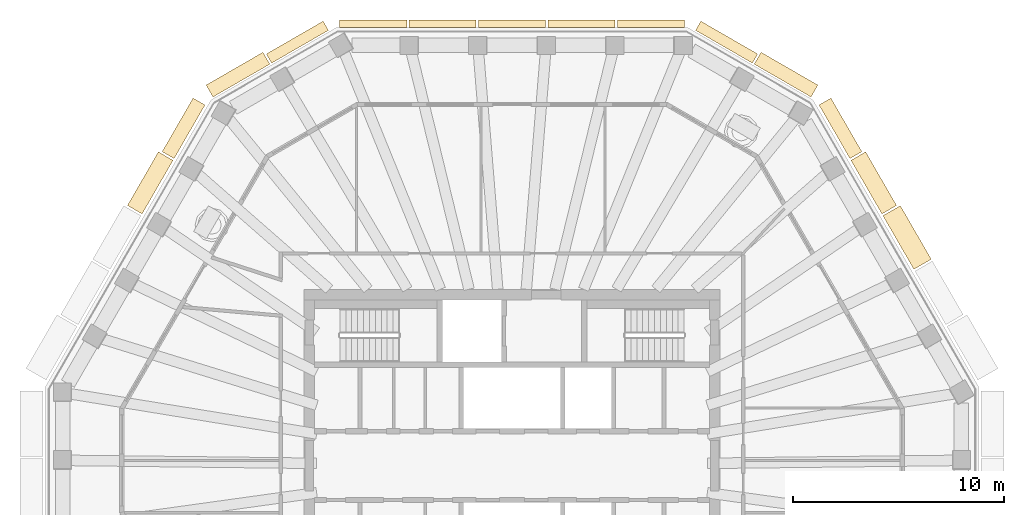
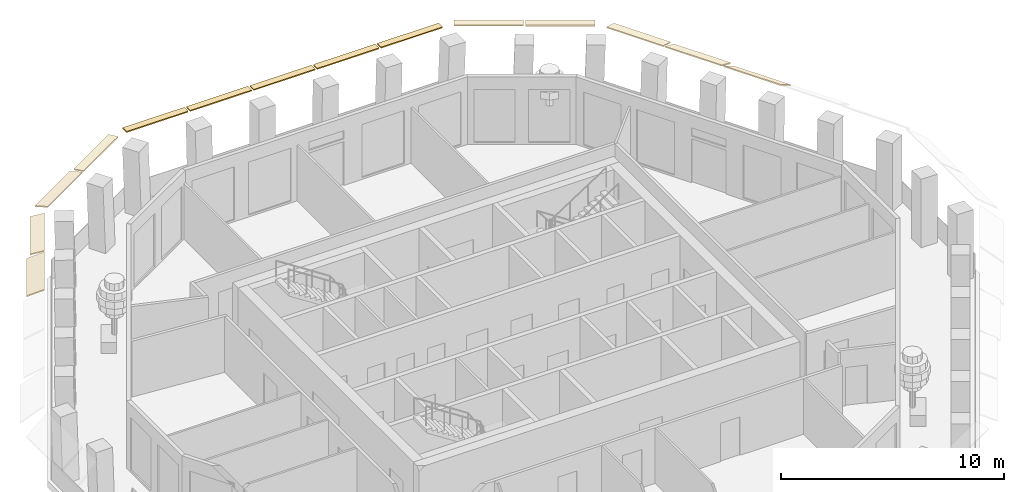
# One storey, part 9 of 11: 14 coverings.
"""IFC4 building model written with IfcOpenShell, lengths in metres."""

from ifc_helpers import new_model, si_unit, direction, frame, origin, place, context, subcontext, project, spatial, polyline, outline, extrude, material, layer, layer_set, type_object, element, save


model = new_model("IFC4")

# Units and contexts
model_context = context("Model", 3, precision=1e-05, world=origin(), true_north=direction((0.0, 1.0)))
body_context = subcontext(model_context, "Body", "Model", "MODEL_VIEW")
ifc_project = project(units=[si_unit("LENGTHUNIT", "METRE"), si_unit("AREAUNIT", "SQUARE_METRE"), si_unit("VOLUMEUNIT", "CUBIC_METRE"), si_unit("PLANEANGLEUNIT", "RADIAN"), si_unit("MASSUNIT", "GRAM", prefix="KILO")], contexts=[model_context])

# Site, building, storey
site_placement = place(None, origin())
site = spatial("IfcSite", under=ifc_project, at=site_placement, CompositionType="ELEMENT")
building_placement = place(site_placement, origin())
building = spatial("IfcBuilding", under=site, at=building_placement, Name="Frailejon Research Tower", CompositionType="ELEMENT")
storey_placement = place(building_placement, frame((0.0, 0.0, 316.60009765625)))
storey = spatial("IfcBuildingStorey", under=building, at=storey_placement, Name="L70", CompositionType="ELEMENT", Elevation=316.60009765625)

# Coverings
ifc_material_1 = material(Name="Precast concrete C50/60", Category="concrete")
ifc_layer_1 = layer(ifc_material_1, 0.06005859375)
ifc_layer_set_1 = layer_set([ifc_layer_1], Name="Brim blade depth 350")
covering_type_1 = type_object("IfcCoveringType", Name="Brim blade depth 350", PredefinedType="CLADDING", material=ifc_layer_set_1)
for number, where, z_axis, x_axis, name in (
    (1, (4.983642578125, 20.75, 3.849853515625), (1.0, 0.0, 0.0), (0.0, 1.0, 0.0), "Brim blade L70"),
    (2, (1.694580078125, 20.75, 3.849853515625), (1.0, 0.0, 0.0), (0.0, 1.0, 0.0), "Brim blade L70"),
):
    element("IfcCovering", number, at=place(storey_placement, frame(where, z_axis=z_axis, x_axis=x_axis)), inside=storey, type_object=covering_type_1, Name=name, PredefinedType="CLADDING", context=body_context, shape_type="SweptSolid", body=[
        extrude(outline(polyline([(0.0, -0.06005859375), (0.35009765625, -0.06005859375), (0.35009765625, 0.0), (0.0, 0.0), (0.0, -0.06005859375)])), origin(), (0.0, 0.0, 1.0), 3.189208984375),
    ])
covering_1_placement = place(storey_placement, frame((-1.594482421875, 20.75, 3.849853515625), z_axis=(1.0, 0.0, 0.0), x_axis=(0.0, 1.0, 0.0)))
element("IfcCovering", 3, at=covering_1_placement, inside=storey, type_object=covering_type_1, Name="Brim blade L70", PredefinedType="CLADDING", context=body_context, shape_type="SweptSolid", body=[
    extrude(outline(polyline([(0.0, -0.06005859375), (0.35009765625, -0.06005859375), (0.35009765625, 0.0), (0.0, 0.0), (0.0, -0.06005859375)])), origin(), (0.0, 0.0, 1.0), 3.18896484375),
])
for number, where, z_axis, x_axis, name in (
    (4, (-4.883544921875, 20.75, 3.849853515625), (1.0, 0.0, 0.0), (0.0, 1.0, 0.0), "Brim blade L70"),
    (5, (-8.172607421875, 20.75, 3.849853515625), (1.0, 0.0, 0.0), (0.0, 1.0, 0.0), "Brim blade L70"),
):
    element("IfcCovering", number, at=place(storey_placement, frame(where, z_axis=z_axis, x_axis=x_axis)), inside=storey, type_object=covering_type_1, Name=name, PredefinedType="CLADDING", context=body_context, shape_type="SweptSolid", body=[
        extrude(outline(polyline([(0.0, -0.06005859375), (0.35009765625, -0.06005859375), (0.35009765625, 0.0), (0.0, 0.0), (0.0, -0.06005859375)])), origin(), (0.0, 0.0, 1.0), 3.189208984375),
    ])
ifc_material_2 = material(Name="Precast concrete C50/60", Category="concrete")
ifc_layer_2 = layer(ifc_material_2, 0.06005859375)
ifc_layer_set_2 = layer_set([ifc_layer_2], Name="Brim blade depth 500")
covering_type_2 = type_object("IfcCoveringType", Name="Brim blade depth 500", PredefinedType="CLADDING", material=ifc_layer_set_2)
for number, where, z_axis, x_axis, name in (
    (6, (8.69091796875, 20.611083984375, 3.849853515625), (0.86602716254, -0.499996953734, 0.0), (0.499996953734, 0.86602716254, 0.0), "Brim blade L70"),
    (7, (-11.380859375, 19.05810546875, 3.849853515625), (0.86602716254, 0.499996953734, 0.0), (-0.499996953734, 0.86602716254, 0.0), "Brim blade L70"),
):
    element("IfcCovering", number, at=place(storey_placement, frame(where, z_axis=z_axis, x_axis=x_axis)), inside=storey, type_object=covering_type_2, Name=name, PredefinedType="CLADDING", context=body_context, shape_type="SweptSolid", body=[
        extrude(outline(polyline([(0.0, -0.060546875), (0.5, -0.130859375), (0.5, -0.0703125), (0.0, 0.0), (0.0, -0.060546875)])), origin(), (0.0, 0.0, 1.0), 3.10595703125),
    ])
ifc_material_3 = material(Name="Precast concrete C50/60", Category="concrete")
ifc_layer_3 = layer(ifc_material_3, 0.06005859375)
ifc_layer_set_3 = layer_set([ifc_layer_3], Name="Brim blade depth 650")
covering_type_3 = type_object("IfcCoveringType", Name="Brim blade depth 650", PredefinedType="CLADDING", material=ifc_layer_set_3)
covering_2_placement = place(storey_placement, frame((14.536865234375, 17.07568359375, 3.849853515625), z_axis=(0.499982625006, -0.86603543501, 0.0), x_axis=(0.86603543501, 0.499982625006, 0.0)))
element("IfcCovering", 8, at=covering_2_placement, inside=storey, type_object=covering_type_3, Name="Brim blade L70", PredefinedType="CLADDING", context=body_context, shape_type="SweptSolid", body=[
    extrude(outline(polyline([(0.0, -0.0625), (0.64990234375, -0.248779296875), (0.64990234375, -0.186279296875), (0.0, 0.0), (0.0, -0.0625)])), origin(), (0.0, 0.0, 1.0), 2.927734375),
])
for number, where, z_axis, x_axis, name in (
    (9, (11.467529296875, 19.008056640625, 3.849853515625), (0.866021454071, -0.500006841041, 0.0), (0.500006841041, 0.866021454071, 0.0), "Brim blade L70"),
    (10, (-14.157470703125, 17.455078125, 3.849853515625), (0.866021454071, 0.500006841041, 0.0), (-0.500006841041, 0.866021454071, 0.0), "Brim blade L70"),
):
    element("IfcCovering", number, at=place(storey_placement, frame(where, z_axis=z_axis, x_axis=x_axis)), inside=storey, type_object=covering_type_3, Name=name, PredefinedType="CLADDING", context=body_context, shape_type="SweptSolid", body=[
        extrude(outline(polyline([(0.0, -0.0625), (0.64990234375, -0.248779296875), (0.64990234375, -0.186279296875), (0.0, 0.0), (0.0, -0.0625)])), origin(), (0.0, 0.0, 1.0), 3.106201171875),
    ])
covering_3_placement = place(storey_placement, frame((-16.000732421875, 14.5400390625, 3.849853515625), z_axis=(0.499982625006, 0.86603543501, 0.0), x_axis=(-0.86603543501, 0.499982625006, 0.0)))
element("IfcCovering", 11, at=covering_3_placement, inside=storey, type_object=covering_type_3, Name="Brim blade L70", PredefinedType="CLADDING", context=body_context, shape_type="SweptSolid", body=[
    extrude(outline(polyline([(0.0, -0.0625), (0.64990234375, -0.248779296875), (0.64990234375, -0.186279296875), (0.0, 0.0), (0.0, -0.0625)])), origin(), (0.0, 0.0, 1.0), 2.927734375),
])
ifc_material_4 = material(Name="Precast concrete C50/60", Category="concrete")
ifc_layer_4 = layer(ifc_material_4, 0.06005859375)
ifc_layer_set_4 = layer_set([ifc_layer_4], Name="Brim blade depth 800")
covering_type_4 = type_object("IfcCoveringType", Name="Brim blade depth 800", PredefinedType="CLADDING", material=ifc_layer_set_4)
for number, where, z_axis, x_axis, name in (
    (12, (16.05078125, 14.45361328125, 3.849853515625), (0.499993095152, -0.866029390264, 0.0), (0.866029390264, 0.499993095152, 0.0), "Brim blade L70"),
    (13, (-17.5146484375, 11.91796875, 3.849853515625), (0.499993095152, 0.866029390264, 0.0), (-0.866029390264, 0.499993095152, 0.0), "Brim blade L70"),
):
    element("IfcCovering", number, at=place(storey_placement, frame(where, z_axis=z_axis, x_axis=x_axis)), inside=storey, type_object=covering_type_4, Name=name, PredefinedType="CLADDING", context=body_context, shape_type="SweptSolid", body=[
        extrude(outline(polyline([(0.0, -0.065673828125), (0.800048828125, -0.421875), (0.800048828125, -0.356201171875), (0.0, 0.0), (0.0, -0.065673828125)])), origin(), (0.0, 0.0, 1.0), 2.927734375),
    ])
ifc_material_5 = material(Name="Precast concrete C50/60", Category="concrete")
ifc_layer_5 = layer(ifc_material_5, 0.06005859375)
ifc_layer_set_5 = layer_set([ifc_layer_5], Name="Brim blade depth 950")
covering_type_5 = type_object("IfcCoveringType", Name="Brim blade depth 950", PredefinedType="CLADDING", material=ifc_layer_set_5)
covering_4_placement = place(storey_placement, frame((17.564697265625, 11.831298828125, 3.849853515625), z_axis=(0.500007396286, -0.866021133495, 0.0), x_axis=(0.866021133495, 0.500007396286, 0.0)))
element("IfcCovering", 14, at=covering_4_placement, inside=storey, type_object=covering_type_5, Name="Brim blade L70", PredefinedType="CLADDING", context=body_context, shape_type="SweptSolid", body=[
    extrude(outline(polyline([(0.0, -0.07080078125), (0.949951171875, -0.664306640625), (0.949951171875, -0.593505859375), (0.0, 0.0), (0.0, -0.07080078125)])), origin(), (0.0, 0.0, 1.0), 2.927734375),
])

save(model, "model.ifc")
